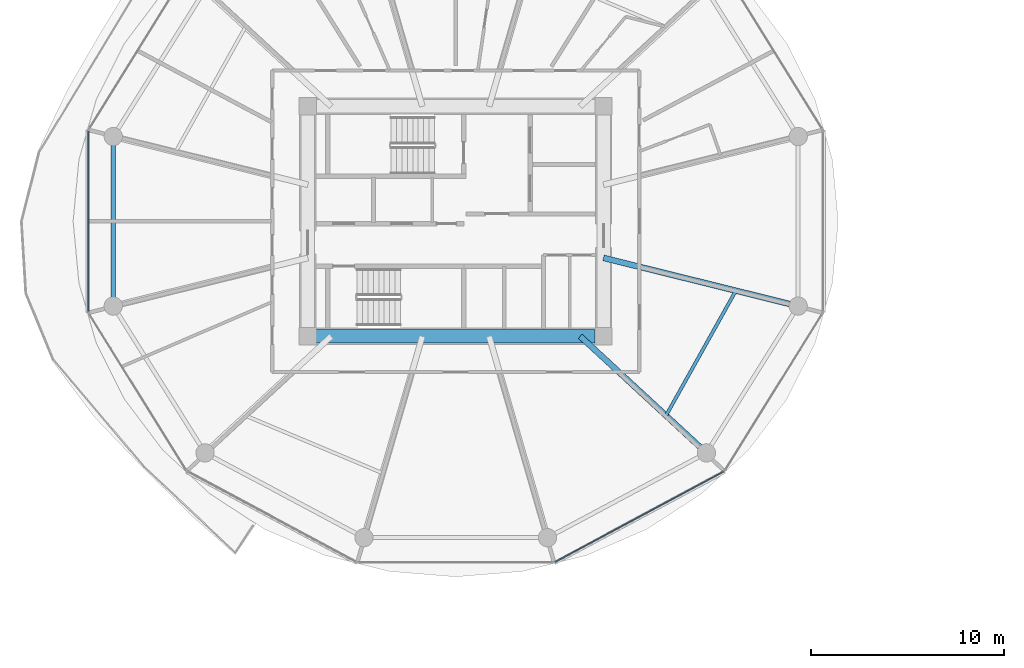
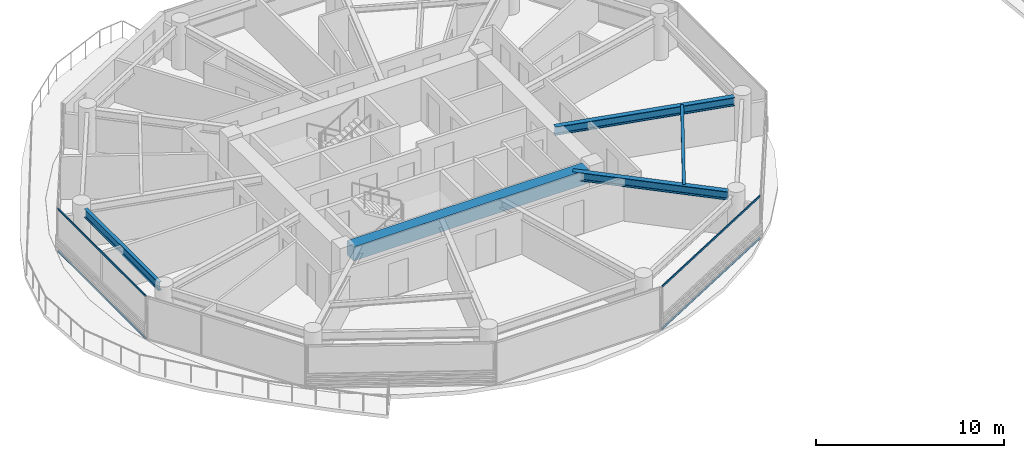
# One storey, part 3 of 27: 5 beams, 4 members, 2 elements without a shape of their own.
"""IFC4 building model written with IfcOpenShell, lengths in metres."""

from ifc_helpers import new_model, si_unit, direction, frame, origin, origin_2d, place, context, subcontext, project, spatial, rectangle, i_section, extrude, source, transform, mapped, material, layer, layer_set, material_profile, profile_set, type_object, type_shapes, element, aggregate, save


model = new_model("IFC4")

# Units and contexts
model_context = context("Model", 3, precision=1e-05, world=origin(), true_north=direction((0.0, 1.0)))
body_context = subcontext(model_context, "Body", "Model", "MODEL_VIEW")
ifc_project = project(units=[si_unit("LENGTHUNIT", "METRE"), si_unit("AREAUNIT", "SQUARE_METRE"), si_unit("VOLUMEUNIT", "CUBIC_METRE"), si_unit("PLANEANGLEUNIT", "RADIAN"), si_unit("MASSUNIT", "GRAM", prefix="KILO")], contexts=[model_context])

# Site, building, storey
site_placement = place(None, origin())
site = spatial("IfcSite", under=ifc_project, at=site_placement, CompositionType="ELEMENT")
building_placement = place(site_placement, origin())
building = spatial("IfcBuilding", under=site, at=building_placement, Name="Norrkilde Senior Care Towers", CompositionType="ELEMENT")
storey_placement = place(building_placement, frame((0.0, 0.0, 33.800048828125)))
storey = spatial("IfcBuildingStorey", under=building, at=storey_placement, Name="L09", CompositionType="ELEMENT", Elevation=33.800048828125)

# Beams
ifc_material_1 = material(Name="Concrete C60/75", Category="concrete")
ifc_material_profile_1 = material_profile(ifc_material_1, rectangle(XDim=0.699951171875, YDim=0.89990234375, at=origin_2d()), Name="RC BM 700x900")
ifc_profile_set_1 = profile_set([ifc_material_profile_1], Name="Concrete C60/75")
beam_type_1 = type_object("IfcBeamType", Name="Core Coupling Girder 700x900", PredefinedType="USERDEFINED", material=ifc_profile_set_1)
shared_shape_1 = source(origin(), body_context, "Body", "SweptSolid", [
    extrude(rectangle(XDim=0.699951171875, YDim=0.89990234375, at=origin_2d()), origin(), (0.0, 0.0, 1.0), 14.43994140625),
])
type_shapes(beam_type_1, [shared_shape_1])
beam_1_placement = place(storey_placement, frame((-35.219970703125, -5.949951171875, 2.33984375), z_axis=(1.0, 0.0, 0.0), x_axis=(0.0, 1.0, 0.0)))
element("IfcBeam", 1, at=beam_1_placement, inside=storey, type_object=beam_type_1, Name="L09 Core W S Coupling Girder", ObjectType="GIRDER", PredefinedType="USERDEFINED", context=body_context, shape_type="MappedRepresentation", body=[
    mapped(shared_shape_1, transform((0.0, 0.0, 0.0), x_axis=(1.0, 0.0, 0.0), y_axis=(0.0, 1.0, 0.0), z_axis=(0.0, 0.0, 1.0), scale=1.0)),
])
ifc_material_2 = material(Name="Steel S355", Category="steel")
ifc_material_profile_2 = material_profile(ifc_material_2, i_section(OverallWidth=0.300048828125, OverallDepth=0.550048828125, WebThickness=0.014892578125, FlangeThickness=0.029052734375, FilletRadius=0.027099609375, at=origin_2d()), Name="HEB 550")
ifc_profile_set_2 = profile_set([ifc_material_profile_2], Name="Steel S355")
beam_type_2 = type_object("IfcBeamType", Name="Radial Floor Beam Z1 HEB550", PredefinedType="BEAM", material=ifc_profile_set_2)
shared_shape_2 = source(origin(), body_context, "Body", "SweptSolid", [
    extrude(i_section(OverallWidth=0.300048828125, OverallDepth=0.550048828125, WebThickness=0.014892578125, FlangeThickness=0.029052734375, FilletRadius=0.027099609375, at=origin_2d()), origin(), (0.0, 0.0, 1.0), 9.94384765625),
])
beam_2_placement = place(storey_placement, frame((-20.35009765625, -1.893310546875, 2.514892578125), z_axis=(0.970707425182, -0.240264634718, 0.0), x_axis=(0.240264634718, 0.970707425182, 0.0)))
element("IfcBeam", 2, at=beam_2_placement, inside=storey, type_object=beam_type_2, Name="L09 Drum W Radial Floor Beam 12", PredefinedType="BEAM", context=body_context, shape_type="MappedRepresentation", body=[
    mapped(shared_shape_2, transform((0.0, 0.0, 0.0), x_axis=(1.0, 0.0, 0.0), y_axis=(0.0, 1.0, 0.0), z_axis=(0.0, 0.0, 1.0), scale=1.0)),
])
shared_shape_3 = source(origin(), body_context, "Body", "SweptSolid", [
    extrude(i_section(OverallWidth=0.300048828125, OverallDepth=0.550048828125, WebThickness=0.014892578125, FlangeThickness=0.029052734375, FilletRadius=0.027099609375, at=origin_2d()), origin(), (0.0, 0.0, 1.0), 8.459716796875),
])
type_shapes(beam_type_2, [shared_shape_2, shared_shape_3])
beam_3_placement = place(storey_placement, frame((-21.55859375, -5.949951171875, 2.514892578125), z_axis=(0.734573269108, -0.678529374686, 0.0), x_axis=(0.678529374686, 0.734573269108, 0.0)))
element("IfcBeam", 3, at=beam_3_placement, inside=storey, type_object=beam_type_2, Name="L09 Drum W Radial Floor Beam 11", PredefinedType="BEAM", context=body_context, shape_type="MappedRepresentation", body=[
    mapped(shared_shape_3, transform((0.0, 0.0, 0.0), x_axis=(1.0, 0.0, 0.0), y_axis=(0.0, 1.0, 0.0), z_axis=(0.0, 0.0, 1.0), scale=1.0)),
])
ifc_material_profile_3 = material_profile(ifc_material_2, i_section(OverallWidth=0.2099609375, OverallDepth=0.550048828125, WebThickness=0.010986328125, FlangeThickness=0.01708984375, FilletRadius=0.02392578125, at=origin_2d()), Name="IPE 550")
ifc_profile_set_3 = profile_set([ifc_material_profile_3], Name="Steel S355")
beam_type_3 = type_object("IfcBeamType", Name="Perimeter Ring Spandrel Z1 IPE550", PredefinedType="SPANDREL", material=ifc_profile_set_3)
shared_shape_4 = source(origin(), body_context, "Body", "SweptSolid", [
    extrude(i_section(OverallWidth=0.2099609375, OverallDepth=0.550048828125, WebThickness=0.010986328125, FlangeThickness=0.01708984375, FilletRadius=0.02392578125, at=origin_2d()), origin(), (0.0, 0.0, 1.0), 7.90380859375),
])
type_shapes(beam_type_3, [shared_shape_4])
beam_4_placement = place(storey_placement, frame((-45.724853515625, 3.951904296875, 2.514892578125), z_axis=(0.0, -1.0, 0.0), x_axis=(1.0, 0.0, 0.0)))
element("IfcBeam", 4, at=beam_4_placement, inside=storey, type_object=beam_type_3, Name="L09 Drum W Perimeter Spandrel 06", PredefinedType="SPANDREL", context=body_context, shape_type="MappedRepresentation", body=[
    mapped(shared_shape_4, transform((0.0, 0.0, 0.0), x_axis=(1.0, 0.0, 0.0), y_axis=(0.0, 1.0, 0.0), z_axis=(0.0, 0.0, 1.0), scale=1.0)),
])
ifc_material_profile_4 = material_profile(ifc_material_2, i_section(OverallWidth=0.169921875, OverallDepth=0.360107421875, WebThickness=0.008056640625, FlangeThickness=0.0126953125, FilletRadius=0.01806640625, at=origin_2d()), Name="IPE 360")
ifc_profile_set_4 = profile_set([ifc_material_profile_4], Name="Steel S355")
beam_type_4 = type_object("IfcBeamType", Name="Secondary Floor Joist IPE360", PredefinedType="JOIST", material=ifc_profile_set_4)
shared_shape_5 = source(origin(), body_context, "Body", "SweptSolid", [
    extrude(i_section(OverallWidth=0.169921875, OverallDepth=0.360107421875, WebThickness=0.008056640625, FlangeThickness=0.0126953125, FilletRadius=0.01806640625, at=origin_2d()), origin(), (0.0, 0.0, 1.0), 7.40771484375),
])
type_shapes(beam_type_4, [shared_shape_5])
beam_5_placement = place(storey_placement, frame((-17.115478515625, -10.05419921875, 2.60986328125), z_axis=(0.488167754092, 0.872749817453, 0.0), x_axis=(-0.872749817453, 0.488167754092, 0.0)))
element("IfcBeam", 5, at=beam_5_placement, inside=storey, type_object=beam_type_4, Name="L09 Drum W Secondary Floor Joist 4", PredefinedType="JOIST", context=body_context, shape_type="MappedRepresentation", body=[
    mapped(shared_shape_5, transform((0.0, 0.0, 0.0), x_axis=(1.0, 0.0, 0.0), y_axis=(0.0, 1.0, 0.0), z_axis=(0.0, 0.0, 1.0), scale=1.0)),
])

# Curtain wall, members
ifc_material_3 = material(Name="Triple Low-E Insulated Glazing", Category="glass")
ifc_layer = layer(ifc_material_3, 0.199951171875)
ifc_layer_set = layer_set([ifc_layer], Name="Triple Low-E Insulated Glazing")
curtain_wall_type = type_object("IfcCurtainWallType", Name="CW2 Zone 1 Memory Care Curtain Wall", PredefinedType="NOTDEFINED", material=ifc_layer_set)
curtain_wall_1_placement = place(storey_placement, origin())
curtain_wall_1 = element("IfcCurtainWall", 6, at=curtain_wall_1_placement, inside=storey, type_object=curtain_wall_type, Name="L09 Drum W Curtain Wall 09", PredefinedType="NOTDEFINED")
ifc_material_4 = material(Name="Anodised Aluminium", Category="aluminium")
ifc_material_profile_5 = material_profile(ifc_material_4, rectangle(XDim=0.06005859375, YDim=0.1201171875, at=origin_2d()), Name="ALU TRAN 60x120")
ifc_profile_set_5 = profile_set([ifc_material_profile_5], Name="Anodised Aluminium")
member_type = type_object("IfcMemberType", Name="Curtain Wall Transom Typical 60x120", PredefinedType="USERDEFINED", material=ifc_profile_set_5)
shared_shape_6 = source(origin(), body_context, "Body", "SweptSolid", [
    extrude(rectangle(XDim=0.06005859375, YDim=0.1201171875, at=origin_2d()), origin(), (0.0, 0.0, 1.0), 9.880859375),
])
member_1_placement = place(storey_placement, frame((-14.141357421875, -12.95654296875, 0.030029296875), z_axis=(-0.881267204043, -0.47261836092, 0.0), x_axis=(0.47261836092, -0.881267204043, 0.0)))
member_1 = element("IfcMember", 7, at=member_1_placement, type_object=member_type, Name="CW-2 transom 1.1", ObjectType="TRANSOM", PredefinedType="USERDEFINED", context=body_context, shape_type="MappedRepresentation", body=[
    mapped(shared_shape_6, transform((0.0, 0.0, 0.0), x_axis=(1.0, 0.0, 0.0), y_axis=(0.0, 1.0, 0.0), z_axis=(0.0, 0.0, 1.0), scale=1.0)),
])
member_2_placement = place(storey_placement, frame((-14.141357421875, -12.95654296875, 2.760009765625), z_axis=(-0.881267204043, -0.47261836092, 0.0), x_axis=(0.47261836092, -0.881267204043, 0.0)))
member_2 = element("IfcMember", 8, at=member_2_placement, type_object=member_type, Name="CW-2 transom 1.2", ObjectType="TRANSOM", PredefinedType="USERDEFINED", context=body_context, shape_type="MappedRepresentation", body=[
    mapped(shared_shape_6, transform((0.0, 0.0, 0.0), x_axis=(1.0, 0.0, 0.0), y_axis=(0.0, 1.0, 0.0), z_axis=(0.0, 0.0, 1.0), scale=1.0)),
])
aggregate(curtain_wall_1, [member_1, member_2])

curtain_wall_2_placement = place(storey_placement, origin())
curtain_wall_2 = element("IfcCurtainWall", 9, at=curtain_wall_2_placement, inside=storey, type_object=curtain_wall_type, Name="L09 Drum W Curtain Wall 05", PredefinedType="NOTDEFINED")
shared_shape_7 = source(origin(), body_context, "Body", "SweptSolid", [
    extrude(rectangle(XDim=0.06005859375, YDim=0.1201171875, at=origin_2d()), origin(), (0.0, 0.0, 1.0), 9.33251953125),
])
type_shapes(member_type, [shared_shape_6, shared_shape_7])
member_3_placement = place(storey_placement, frame((-47.009521484375, -4.666259765625, 0.030029296875), z_axis=(0.0, 1.0, 0.0), x_axis=(-1.0, 0.0, 0.0)))
member_3 = element("IfcMember", 10, at=member_3_placement, type_object=member_type, Name="CW-2 transom 1.1", ObjectType="TRANSOM", PredefinedType="USERDEFINED", context=body_context, shape_type="MappedRepresentation", body=[
    mapped(shared_shape_7, transform((0.0, 0.0, 0.0), x_axis=(1.0, 0.0, 0.0), y_axis=(0.0, 1.0, 0.0), z_axis=(0.0, 0.0, 1.0), scale=1.0)),
])
member_4_placement = place(storey_placement, frame((-47.009521484375, -4.666259765625, 2.760009765625), z_axis=(0.0, 1.0, 0.0), x_axis=(-1.0, 0.0, 0.0)))
member_4 = element("IfcMember", 11, at=member_4_placement, type_object=member_type, Name="CW-2 transom 1.2", ObjectType="TRANSOM", PredefinedType="USERDEFINED", context=body_context, shape_type="MappedRepresentation", body=[
    mapped(shared_shape_7, transform((0.0, 0.0, 0.0), x_axis=(1.0, 0.0, 0.0), y_axis=(0.0, 1.0, 0.0), z_axis=(0.0, 0.0, 1.0), scale=1.0)),
])
aggregate(curtain_wall_2, [member_3, member_4])

save(model, "model.ifc")
